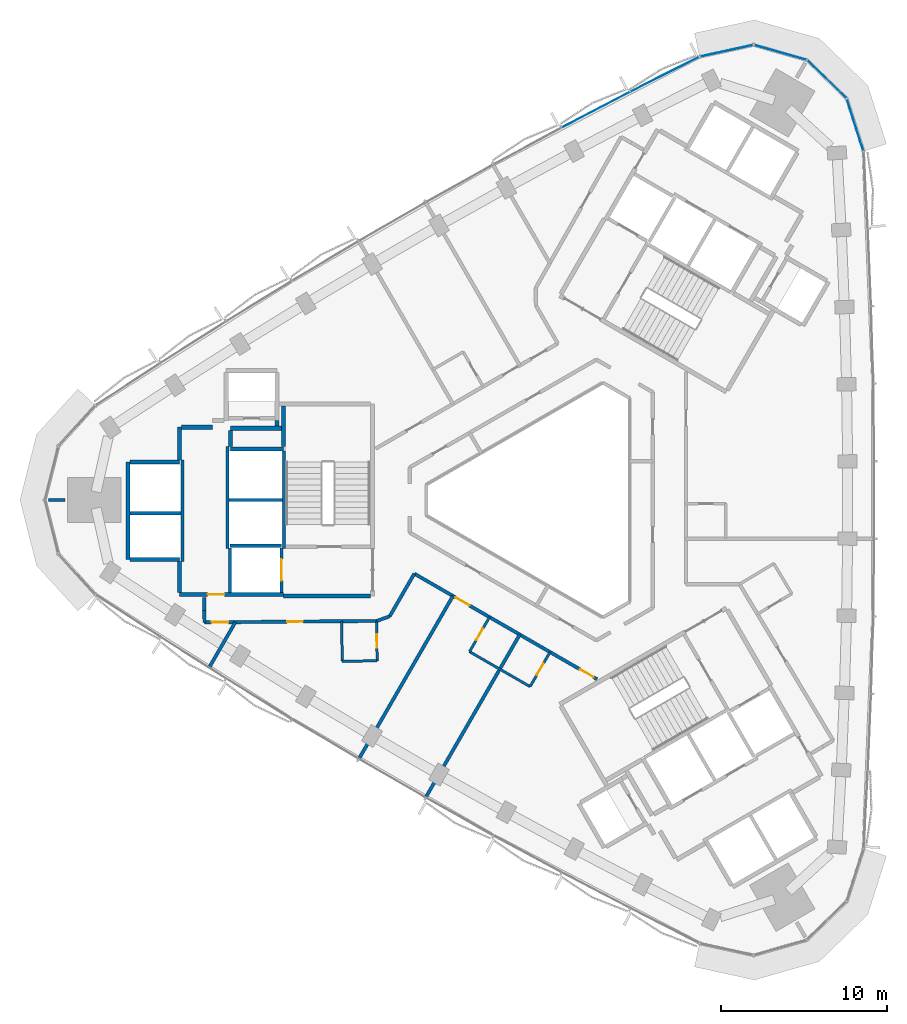
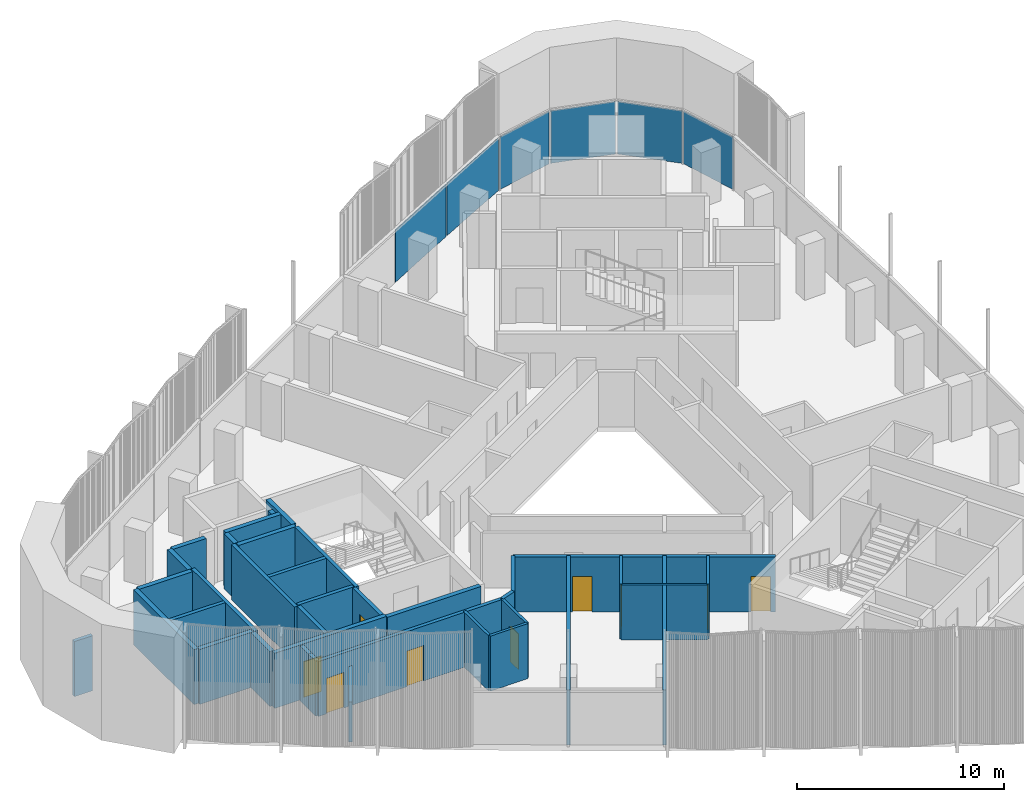
# One storey, part 7 of 14: 37 walls, 9 doors, 6 plates, 9 openings, 2 elements without a shape of their own.
"""IFC4 building model written with IfcOpenShell, lengths in metres."""

from ifc_helpers import new_model, si_unit, direction, frame, frame_2d, origin, origin_2d, place, context, subcontext, project, spatial, rectangle, extrude, material, layer, layer_set, type_object, element, fill, aggregate, save


model = new_model("IFC4")

# Units and contexts
model_context = context("Model", 3, precision=1e-05, world=origin(), true_north=direction((0.0, 1.0)))
body_context = subcontext(model_context, "Body", "Model", "MODEL_VIEW")
ifc_project = project(units=[si_unit("LENGTHUNIT", "METRE"), si_unit("AREAUNIT", "SQUARE_METRE"), si_unit("VOLUMEUNIT", "CUBIC_METRE"), si_unit("PLANEANGLEUNIT", "RADIAN"), si_unit("MASSUNIT", "GRAM", prefix="KILO")], contexts=[model_context])

# Site, building, storey
site_placement = place(None, origin())
site = spatial("IfcSite", under=ifc_project, at=site_placement, CompositionType="ELEMENT")
building_placement = place(site_placement, origin())
building = spatial("IfcBuilding", under=site, at=building_placement, Name="Tamra Quay Hotel Tower", CompositionType="ELEMENT")
storey_placement = place(building_placement, frame((0.0, 0.0, 175.60009765625)))
storey = spatial("IfcBuildingStorey", under=building, at=storey_placement, Name="L43", CompositionType="ELEMENT", Elevation=175.60009765625)

# Curtain wall, plates
ifc_material_1 = material(Name="Aluminium 6063 anodised dark grey", Category="aluminium")
curtain_wall_type_1 = type_object("IfcCurtainWallType", Name="CW1 CURTAIN WALL", PredefinedType="NOTDEFINED", material=ifc_material_1)
curtain_wall_1_placement = place(storey_placement, origin())
curtain_wall_1 = element("IfcCurtainWall", 1, at=curtain_wall_1_placement, inside=storey, type_object=curtain_wall_type_1, Name="CW1 east face L43", PredefinedType="NOTDEFINED")
ifc_material_2 = material(Name="Glass clear laminated low-iron", Category="glass")
ifc_layer_1 = layer(ifc_material_2, 0.030029296875)
ifc_layer_set_1 = layer_set([ifc_layer_1], Name="GLASS PANEL CW1 Z4")
plate_type_1 = type_object("IfcPlateType", Name="GLASS PANEL CW1 Z4", PredefinedType="CURTAIN_PANEL", material=ifc_layer_set_1)
plate_1_placement = place(storey_placement, frame((18.16064453125, 22.54052734375, 0.0), z_axis=(0.0, 0.0, 1.0), x_axis=(-0.303410479682, 0.952859948166, 0.0)))
plate_1 = element("IfcPlate", 2, at=plate_1_placement, type_object=plate_type_1, Name="CW1 glass L43.E.10", PredefinedType="CURTAIN_PANEL", context=body_context, shape_type="SweptSolid", body=[
    extrude(rectangle(XDim=3.227783203125, YDim=0.030029296875, at=origin_2d()), origin(), (0.0, 0.0, 1.0), 3.110107421875),
])
plate_2_placement = place(storey_placement, frame((16.461181640625, 25.2841796875, 0.0), z_axis=(0.0, 0.0, 1.0), x_axis=(-0.717974699393, 0.696069199888, 0.0)))
plate_2 = element("IfcPlate", 3, at=plate_2_placement, type_object=plate_type_1, Name="CW1 glass L43.E.11", PredefinedType="CURTAIN_PANEL", context=body_context, shape_type="SweptSolid", body=[
    extrude(rectangle(XDim=3.227783203125, YDim=0.030029296875, at=origin_2d()), origin(), (0.0, 0.0, 1.0), 3.110107421875),
])
plate_3_placement = place(storey_placement, frame((13.666259765625, 26.897705078125, 0.0), z_axis=(0.0, 0.0, 1.0), x_axis=(-0.961800959591, 0.273749729005, 0.0)))
plate_3 = element("IfcPlate", 4, at=plate_3_placement, type_object=plate_type_1, Name="CW1 glass L43.E.12", PredefinedType="CURTAIN_PANEL", context=body_context, shape_type="SweptSolid", body=[
    extrude(rectangle(XDim=3.227783203125, YDim=0.030029296875, at=origin_2d()), origin(), (0.0, 0.0, 1.0), 3.110107421875),
])
plate_4_placement = place(storey_placement, frame((10.4404296875, 26.997802734375, 0.0), z_axis=(0.0, 0.0, 1.0), x_axis=(-0.976906161202, -0.213668790904, 0.0)))
plate_4 = element("IfcPlate", 5, at=plate_4_placement, type_object=plate_type_1, Name="CW1 glass L43.E.13", PredefinedType="CURTAIN_PANEL", context=body_context, shape_type="SweptSolid", body=[
    extrude(rectangle(XDim=3.227783203125, YDim=0.030029296875, at=origin_2d()), origin(), (0.0, 0.0, 1.0), 3.110107421875),
])
aggregate(curtain_wall_1, [plate_1, plate_2, plate_3, plate_4])

curtain_wall_type_2 = type_object("IfcCurtainWallType", Name="CW2 CURTAIN WALL", PredefinedType="NOTDEFINED", material=ifc_material_1)
curtain_wall_2_placement = place(storey_placement, origin())
curtain_wall_2 = element("IfcCurtainWall", 6, at=curtain_wall_2_placement, inside=storey, type_object=curtain_wall_type_2, Name="CW2 north-west face L43", PredefinedType="NOTDEFINED")
ifc_layer_2 = layer(ifc_material_2, 0.030029296875)
ifc_layer_set_2 = layer_set([ifc_layer_2], Name="GLASS PANEL CW2 Z4")
plate_type_2 = type_object("IfcPlateType", Name="GLASS PANEL CW2 Z4", PredefinedType="CURTAIN_PANEL", material=ifc_layer_set_2)
plate_5_placement = place(storey_placement, frame((6.73583984375, 25.591064453125, 0.0), z_axis=(0.0, 0.0, 1.0), x_axis=(-0.892403070369, -0.451239138369, 0.0)))
plate_5 = element("IfcPlate", 7, at=plate_5_placement, type_object=plate_type_2, Name="CW2 glass L43.NW.1", PredefinedType="CURTAIN_PANEL", context=body_context, shape_type="SweptSolid", body=[
    extrude(rectangle(XDim=4.5595703125, YDim=0.030029296875, at=origin_2d()), origin(), (0.0, 0.0, 1.0), 3.110107421875),
])
plate_6_placement = place(storey_placement, frame((2.59228515625, 23.459716796875, 0.0), z_axis=(0.0, 0.0, 1.0), x_axis=(-0.886075646342, -0.463540665918, 0.0)))
plate_6 = element("IfcPlate", 8, at=plate_6_placement, type_object=plate_type_2, Name="CW2 glass L43.NW.2", PredefinedType="CURTAIN_PANEL", context=body_context, shape_type="SweptSolid", body=[
    extrude(rectangle(XDim=4.56005859375, YDim=0.030029296875, at=origin_2d()), origin(), (0.0, 0.0, 1.0), 3.110107421875),
])
aggregate(curtain_wall_2, [plate_5, plate_6])

# Walls
ifc_material_3 = material(Name="Concrete M70", Category="concrete")
ifc_layer_3 = layer(ifc_material_3, 0.199951171875)
ifc_layer_set_3 = layer_set([ifc_layer_3], Name="Concrete M70 core wall 200")
wall_type_1 = type_object("IfcWallType", Name="Concrete M70 core wall 200", PredefinedType="SHEAR", material=ifc_layer_set_3)
wall_1_placement = place(storey_placement, frame((-16.162109375, 2.95068359375, 0.0), z_axis=(0.0, 0.0, 1.0), x_axis=(0.0, -1.0, 0.0)))
element("IfcWall", 9, at=wall_1_placement, inside=storey, type_object=wall_type_1, Name="CW2", PredefinedType="SHEAR", context=body_context, shape_type="SweptSolid", body=[
    extrude(rectangle(XDim=5.850830078125, YDim=0.199951171875, at=frame_2d((2.92529296875, 0.0))), origin(), (0.0, 0.0, 1.0), 3.25),
])
for number, where, z_axis, x_axis, name in (
    (10, (-19.5625, -2.900146484375, 0.0), (0.0, 0.0, 1.0), (0.0, 1.0, 0.0), "CW2"),
    (11, (-22.26220703125, 2.400146484375, 0.0), (0.0, 0.0, 1.0), (0.0, -1.0, 0.0), "CW2"),
):
    element("IfcWall", number, at=place(storey_placement, frame(where, z_axis=z_axis, x_axis=x_axis)), inside=storey, type_object=wall_type_1, Name=name, PredefinedType="SHEAR", context=body_context, shape_type="SweptSolid", body=[
        extrude(rectangle(XDim=6.100341796875, YDim=0.199951171875, at=frame_2d((3.05029296875, 0.0))), origin(), (0.0, 0.0, 1.0), 3.25),
    ])
wall_2_placement = place(storey_placement, frame((-16.26318359375, 0.0, 0.0), z_axis=(0.0, 0.0, 1.0), x_axis=(-1.0, 0.0, 0.0)))
element("IfcWall", 12, at=wall_2_placement, inside=storey, type_object=wall_type_1, Name="CW2", PredefinedType="SHEAR", context=body_context, shape_type="SweptSolid", body=[
    extrude(rectangle(XDim=3.1982421875, YDim=0.199951171875, at=frame_2d((1.59912109375, 0.0))), origin(), (0.0, 0.0, 1.0), 3.25),
])
wall_3_placement = place(storey_placement, frame((-22.36328125, -0.800048828125, 0.0), z_axis=(0.0, 0.0, 1.0), x_axis=(-1.0, 0.0, 0.0)))
element("IfcWall", 13, at=wall_3_placement, inside=storey, type_object=wall_type_1, Name="CW2", PredefinedType="SHEAR", context=body_context, shape_type="SweptSolid", body=[
    extrude(rectangle(XDim=3.048095703125, YDim=0.199951171875, at=frame_2d((1.52392578125, 0.0))), origin(), (0.0, 0.0, 1.0), 3.25),
])
wall_4_placement = place(storey_placement, frame((-19.412353515625, -2.75, 0.0), z_axis=(0.0, 0.0, 1.0), x_axis=(1.0, 0.0, 0.0)))
element("IfcWall", 14, at=wall_4_placement, inside=storey, type_object=wall_type_1, Name="CW2", PredefinedType="SHEAR", context=body_context, shape_type="SweptSolid", body=[
    extrude(rectangle(XDim=3.10009765625, YDim=0.199951171875, at=frame_2d((1.550048828125, 0.0))), origin(), (0.0, 0.0, 1.0), 3.25),
])

# Wall, opening, door
wall_5_placement = place(storey_placement, frame((-16.312255859375, -2.898193359375, 0.0), z_axis=(0.0, 0.0, 1.0), x_axis=(0.0, -1.0, 0.0)))
wall_5 = element("IfcWall", 15, at=wall_5_placement, inside=storey, type_object=wall_type_1, Name="CW2", PredefinedType="SHEAR", context=body_context, shape_type="SweptSolid", body=[
    extrude(rectangle(XDim=2.65087890625, YDim=0.199951171875, at=frame_2d((1.325439453125, 0.0))), origin(), (0.0, 0.0, 1.0), 3.25),
])
opening_1_placement = place(wall_5_placement, frame((0.65185546875, 0.0, 0.0)))
opening_1 = element("IfcOpeningElement", 16, at=opening_1_placement, cuts=wall_5, Name="Opening LD", PredefinedType="OPENING", context=body_context, shape_type="SweptSolid", body=[
    extrude(rectangle(XDim=1.300048828125, YDim=2.10009765625, at=frame_2d((0.64990234375, 1.050048828125))), frame((0.0, 0.10986328125, 0.0), z_axis=(0.0, -1.0, 0.0), x_axis=(1.0, 0.0, 0.0)), (0.0, 0.0, 1.0), 0.219970703125),
])
ifc_material_4 = material(Name="Landing door LD 1300 sliding to right")
door_type_1 = type_object("IfcDoorType", Name="Landing door LD 1300 sliding to right", OperationType="NOTDEFINED", PredefinedType="DOOR", material=ifc_material_4)
door_1_placement = place(opening_1_placement, origin())
door_1 = element("IfcDoor", 17, at=door_1_placement, inside=storey, type_object=door_type_1, Name="LD", OperationType="SLIDING_TO_RIGHT", OverallHeight=2.10009765625, OverallWidth=1.300048828125, PredefinedType="DOOR", context=body_context, shape_type="SweptSolid", body=[
    extrude(rectangle(XDim=1.300048828125, YDim=2.10009765625, at=frame_2d((0.64990234375, 1.050048828125))), frame((0.0, 0.02490234375, 0.0), z_axis=(0.0, -1.0, 0.0), x_axis=(1.0, 0.0, 0.0)), (0.0, 0.0, 1.0), 0.050048828125),
])
fill(opening_1, door_1)

# Wall
wall_6_placement = place(storey_placement, frame((-19.412353515625, -5.549072265625, 0.0), z_axis=(0.0, 0.0, 1.0), x_axis=(0.0, 1.0, 0.0)))
element("IfcWall", 18, at=wall_6_placement, inside=storey, type_object=wall_type_1, Name="CW2", PredefinedType="SHEAR", context=body_context, shape_type="SweptSolid", body=[
    extrude(rectangle(XDim=2.65087890625, YDim=0.199951171875, at=frame_2d((1.325439453125, 0.0))), origin(), (0.0, 0.0, 1.0), 3.25),
])

# Wall, opening, door
ifc_layer_4 = layer(ifc_material_3, 0.25)
ifc_layer_set_4 = layer_set([ifc_layer_4], Name="Concrete M70 core wall 250")
wall_type_2 = type_object("IfcWallType", Name="Concrete M70 core wall 250", PredefinedType="SHEAR", material=ifc_layer_set_4)
wall_7_placement = place(storey_placement, frame((-16.187255859375, -5.675048828125, 0.0), z_axis=(0.0, 0.0, 1.0), x_axis=(-1.0, 0.0, 0.0)))
wall_7 = element("IfcWall", 19, at=wall_7_placement, inside=storey, type_object=wall_type_2, Name="CW1", PredefinedType="SHEAR", context=body_context, shape_type="SweptSolid", body=[
    extrude(rectangle(XDim=6.25, YDim=0.25, at=frame_2d((3.125, 0.0))), origin(), (0.0, 0.0, 1.0), 3.25),
])
opening_2_placement = place(wall_7_placement, frame((3.562744140625, 0.0, 0.0)))
opening_2 = element("IfcOpeningElement", 20, at=opening_2_placement, cuts=wall_7, Name="Opening FD3", PredefinedType="OPENING", context=body_context, shape_type="SweptSolid", body=[
    extrude(rectangle(XDim=1.0, YDim=2.10009765625, at=frame_2d((0.5, 1.050048828125))), frame((0.0, 0.135009765625, 0.0), z_axis=(0.0, -1.0, 0.0), x_axis=(1.0, 0.0, 0.0)), (0.0, 0.0, 1.0), 0.27001953125),
])
ifc_material_5 = material(Name="Core door FD3 1000x2100 LH")
door_type_2 = type_object("IfcDoorType", Name="Core door FD3 1000x2100 LH", OperationType="NOTDEFINED", PredefinedType="DOOR", material=ifc_material_5)
door_2_placement = place(opening_2_placement, origin())
door_2 = element("IfcDoor", 21, at=door_2_placement, inside=storey, type_object=door_type_2, Name="FD3", OperationType="SINGLE_SWING_LEFT", OverallHeight=2.10009765625, OverallWidth=1.0, PredefinedType="DOOR", context=body_context, shape_type="SweptSolid", body=[
    extrude(rectangle(XDim=1.0, YDim=2.10009765625, at=frame_2d((0.5, 1.050048828125))), frame((0.0, 0.02490234375, 0.0), z_axis=(0.0, -1.0, 0.0), x_axis=(1.0, 0.0, 0.0)), (0.0, 0.0, 1.0), 0.050048828125),
])
fill(opening_2, door_2)

# Walls
wall_8_placement = place(storey_placement, frame((-25.537353515625, -3.574951171875, 0.0), z_axis=(0.0, 0.0, 1.0), x_axis=(0.0, 1.0, 0.0)))
element("IfcWall", 22, at=wall_8_placement, inside=storey, type_object=wall_type_2, Name="CW1", PredefinedType="SHEAR", context=body_context, shape_type="SweptSolid", body=[
    extrude(rectangle(XDim=5.849853515625, YDim=0.25, at=frame_2d((2.9248046875, 0.0))), origin(), (0.0, 0.0, 1.0), 3.25),
])
wall_9_placement = place(storey_placement, frame((-10.962646484375, -5.77490234375, 0.0), z_axis=(0.0, 0.0, 1.0), x_axis=(-1.0, 0.0, 0.0)))
element("IfcWall", 23, at=wall_9_placement, inside=storey, type_object=wall_type_2, Name="CW1", PredefinedType="SHEAR", context=body_context, shape_type="SweptSolid", body=[
    extrude(rectangle(XDim=5.224609375, YDim=0.25, at=frame_2d((2.6123046875, 0.0))), origin(), (0.0, 0.0, 1.0), 3.25),
])
wall_10_placement = place(storey_placement, frame((-19.38720703125, 3.074951171875, 0.0), z_axis=(0.0, 0.0, 1.0), x_axis=(1.0, 0.0, 0.0)))
element("IfcWall", 24, at=wall_10_placement, inside=storey, type_object=wall_type_2, Name="CW1", PredefinedType="SHEAR", context=body_context, shape_type="SweptSolid", body=[
    extrude(rectangle(XDim=3.199951171875, YDim=0.25, at=frame_2d((1.60009765625, 0.0))), origin(), (0.0, 0.0, 1.0), 3.25),
])
for number, where, z_axis, x_axis, name in (
    (25, (-22.437255859375, -3.574951171875, 0.0), (0.0, 0.0, 1.0), (-1.0, 0.0, 0.0), "CW1"),
    (26, (-25.411865234375, 2.27490234375, 0.0), (0.0, 0.0, 1.0), (1.0, 0.0, 0.0), "CW1"),
):
    element("IfcWall", number, at=place(storey_placement, frame(where, z_axis=z_axis, x_axis=x_axis)), inside=storey, type_object=wall_type_2, Name=name, PredefinedType="SHEAR", context=body_context, shape_type="SweptSolid", body=[
        extrude(rectangle(XDim=2.974609375, YDim=0.25, at=frame_2d((1.4873046875, 0.0))), origin(), (0.0, 0.0, 1.0), 3.25),
    ])
wall_11_placement = place(storey_placement, frame((-16.30224609375, 4.31494140625, 0.0), z_axis=(0.0, 0.0, 1.0), x_axis=(-1.0, 0.0, 0.0)))
element("IfcWall", 27, at=wall_11_placement, inside=storey, type_object=wall_type_2, Name="CW1", PredefinedType="SHEAR", context=body_context, shape_type="SweptSolid", body=[
    extrude(rectangle(XDim=3.0849609375, YDim=0.25, at=frame_2d((1.54248046875, 0.0))), origin(), (0.0, 0.0, 1.0), 3.25),
])
wall_12_placement = place(storey_placement, frame((-16.187255859375, 3.200439453125, 0.0), z_axis=(0.0, 0.0, 1.0), x_axis=(0.0, 1.0, 0.0)))
element("IfcWall", 28, at=wall_12_placement, inside=storey, type_object=wall_type_2, Name="CW1", PredefinedType="SHEAR", context=body_context, shape_type="SweptSolid", body=[
    extrude(rectangle(XDim=2.44921875, YDim=0.25, at=frame_2d((1.224609375, 0.0))), origin(), (0.0, 0.0, 1.0), 3.25),
])
wall_13_placement = place(storey_placement, frame((-22.437255859375, 2.400390625, 0.0), z_axis=(0.0, 0.0, 1.0), x_axis=(0.0, 1.0, 0.0)))
element("IfcWall", 29, at=wall_13_placement, inside=storey, type_object=wall_type_2, Name="CW1", PredefinedType="SHEAR", context=body_context, shape_type="SweptSolid", body=[
    extrude(rectangle(XDim=1.974609375, YDim=0.25, at=frame_2d((0.9873046875, 0.0))), origin(), (0.0, 0.0, 1.0), 3.25),
])
wall_14_placement = place(storey_placement, frame((-22.437255859375, -5.549560546875, 0.0), z_axis=(0.0, 0.0, 1.0), x_axis=(0.0, 1.0, 0.0)))
element("IfcWall", 30, at=wall_14_placement, inside=storey, type_object=wall_type_2, Name="CW1", PredefinedType="SHEAR", context=body_context, shape_type="SweptSolid", body=[
    extrude(rectangle(XDim=1.84912109375, YDim=0.25, at=frame_2d((0.924560546875, 0.0))), origin(), (0.0, 0.0, 1.0), 3.25),
])
wall_15_placement = place(storey_placement, frame((-22.311767578125, 4.375, 0.0), z_axis=(0.0, 0.0, 1.0), x_axis=(1.0, 0.0, 0.0)))
element("IfcWall", 31, at=wall_15_placement, inside=storey, type_object=wall_type_2, Name="CW1", PredefinedType="SHEAR", context=body_context, shape_type="SweptSolid", body=[
    extrude(rectangle(XDim=1.864501953125, YDim=0.25, at=frame_2d((0.93212890625, 0.0))), origin(), (0.0, 0.0, 1.0), 3.25),
])
wall_16_placement = place(storey_placement, frame((-19.38720703125, 4.189697265625, 0.0), z_axis=(0.0, 0.0, 1.0), x_axis=(0.0, -1.0, 0.0)))
element("IfcWall", 32, at=wall_16_placement, inside=storey, type_object=wall_type_2, Name="CW1", PredefinedType="SHEAR", context=body_context, shape_type="SweptSolid", body=[
    extrude(rectangle(XDim=0.9892578125, YDim=0.25, at=frame_2d((0.49462890625, 0.0))), origin(), (0.0, 0.0, 1.0), 3.25),
])
wall_17_placement = place(storey_placement, frame((-16.577392578125, 4.784912109375, 0.0), z_axis=(0.0, 0.0, 1.0), x_axis=(0.0, -1.0, 0.0)))
element("IfcWall", 33, at=wall_17_placement, inside=storey, type_object=wall_type_2, Name="CW1", PredefinedType="SHEAR", context=body_context, shape_type="SweptSolid", body=[
    extrude(rectangle(XDim=0.344482421875, YDim=0.25, at=frame_2d((0.17236328125, 0.0))), origin(), (0.0, 0.0, 1.0), 3.25),
])
ifc_material_6 = material(Name="Partition corridor wall")
ifc_layer_5 = layer(ifc_material_6, 0.199951171875)
ifc_layer_set_5 = layer_set([ifc_layer_5], Name="Partition corridor wall")
wall_type_3 = type_object("IfcWallType", Name="Partition corridor wall", PredefinedType="PARTITIONING", material=ifc_layer_set_5)
wall_18_placement = place(storey_placement, frame((-20.949951171875, -6.64990234375, 0.0), z_axis=(0.0, 0.0, 1.0), x_axis=(0.0, 1.0, 0.0)))
element("IfcWall", 34, at=wall_18_placement, inside=storey, type_object=wall_type_3, Name="W-C", PredefinedType="PARTITIONING", context=body_context, shape_type="SweptSolid", body=[
    extrude(rectangle(XDim=0.789794921875, YDim=0.199951171875, at=frame_2d((0.39501953125, 0.0))), origin(), (0.0, 0.0, 1.0), 3.25),
])
wall_19_placement = place(storey_placement, frame((-20.947021484375, -6.653076171875, 0.0), z_axis=(0.0, 0.0, 1.0), x_axis=(0.004173876686, -0.999991289339, 0.0)))
element("IfcWall", 35, at=wall_19_placement, inside=storey, type_object=wall_type_3, Name="W-C", PredefinedType="PARTITIONING", context=body_context, shape_type="SweptSolid", body=[
    extrude(rectangle(XDim=0.701904296875, YDim=0.199951171875, at=frame_2d((0.35107421875, 0.0))), origin(), (0.0, 0.0, 1.0), 3.25),
])

# Wall, openings, doors
wall_20_placement = place(storey_placement, frame((-20.944091796875, -7.35595703125, 0.0), z_axis=(0.0, 0.0, 1.0), x_axis=(0.999963588164, 0.008533600955, 0.0)))
wall_20 = element("IfcWall", 36, at=wall_20_placement, inside=storey, type_object=wall_type_3, Name="W-C", PredefinedType="PARTITIONING", context=body_context, shape_type="SweptSolid", body=[
    extrude(rectangle(XDim=10.356689453125, YDim=0.199951171875, at=frame_2d((5.17822265625, 0.0))), origin(), (0.0, 0.0, 1.0), 3.25),
])
opening_3_placement = place(wall_20_placement, frame((0.4365234375, 0.0, 0.0)))
opening_3 = element("IfcOpeningElement", 37, at=opening_3_placement, cuts=wall_20, Name="Opening L43-D010", PredefinedType="OPENING", context=body_context, shape_type="SweptSolid", body=[
    extrude(rectangle(XDim=1.0, YDim=2.10009765625, at=frame_2d((0.5, 1.050048828125))), frame((0.0, 0.10986328125, 0.0), z_axis=(0.0, -1.0, 0.0), x_axis=(1.0, 0.0, 0.0)), (0.0, 0.0, 1.0), 0.219970703125),
])
opening_4_placement = place(wall_20_placement, frame((4.96826171875, 0.0, 0.0)))
opening_4 = element("IfcOpeningElement", 38, at=opening_4_placement, cuts=wall_20, Name="Opening L43-D011", PredefinedType="OPENING", context=body_context, shape_type="SweptSolid", body=[
    extrude(rectangle(XDim=0.949951171875, YDim=2.10009765625, at=frame_2d((0.47509765625, 1.050048828125))), frame((0.0, 0.10986328125, 0.0), z_axis=(0.0, -1.0, 0.0), x_axis=(1.0, 0.0, 0.0)), (0.0, 0.0, 1.0), 0.219970703125),
])
ifc_material_7 = material(Name="Door guest room 1000x2100")
door_type_3 = type_object("IfcDoorType", Name="Door guest room 1000x2100", OperationType="NOTDEFINED", PredefinedType="DOOR", material=ifc_material_7)
door_3_placement = place(opening_3_placement, origin())
door_3 = element("IfcDoor", 39, at=door_3_placement, inside=storey, type_object=door_type_3, Name="L43-D010", OperationType="SINGLE_SWING_LEFT", OverallHeight=2.10009765625, OverallWidth=1.0, PredefinedType="DOOR", context=body_context, shape_type="SweptSolid", body=[
    extrude(rectangle(XDim=1.0, YDim=2.10009765625, at=frame_2d((0.5, 1.050048828125))), frame((0.0, 0.02490234375, 0.0), z_axis=(0.0, -1.0, 0.0), x_axis=(1.0, 0.0, 0.0)), (0.0, 0.0, 1.0), 0.050048828125),
])
fill(opening_3, door_3)
ifc_material_8 = material(Name="Door guest room 950x2100")
door_type_4 = type_object("IfcDoorType", Name="Door guest room 950x2100", OperationType="NOTDEFINED", PredefinedType="DOOR", material=ifc_material_8)
door_4_placement = place(opening_4_placement, frame((0.949951171875, 0.0, 0.0), z_axis=(0.0, 0.0, 1.0), x_axis=(-1.0, 0.0, 0.0)))
door_4 = element("IfcDoor", 40, at=door_4_placement, inside=storey, type_object=door_type_4, Name="L43-D011", OperationType="SINGLE_SWING_LEFT", OverallHeight=2.10009765625, OverallWidth=0.949951171875, PredefinedType="DOOR", context=body_context, shape_type="SweptSolid", body=[
    extrude(rectangle(XDim=0.949951171875, YDim=2.10009765625, at=frame_2d((0.47509765625, 1.050048828125))), frame((0.0, 0.02490234375, 0.0), z_axis=(0.0, -1.0, 0.0), x_axis=(1.0, 0.0, 0.0)), (0.0, 0.0, 1.0), 0.050048828125),
])
fill(opening_4, door_4)

# Walls
wall_21_placement = place(storey_placement, frame((-10.587890625, -7.26904296875, 0.0), z_axis=(0.0, 0.0, 1.0), x_axis=(0.941634876095, 0.336635945974, 0.0)))
element("IfcWall", 41, at=wall_21_placement, inside=storey, type_object=wall_type_3, Name="W-C", PredefinedType="PARTITIONING", context=body_context, shape_type="SweptSolid", body=[
    extrude(rectangle(XDim=0.825927734375, YDim=0.199951171875, at=frame_2d((0.4130859375, 0.0))), origin(), (0.0, 0.0, 1.0), 3.25),
])
wall_22_placement = place(storey_placement, frame((-9.80908203125, -6.989990234375, 0.0), z_axis=(0.0, 0.0, 1.0), x_axis=(0.499955822529, 0.866050908157, 0.0)))
element("IfcWall", 42, at=wall_22_placement, inside=storey, type_object=wall_type_3, Name="W-C", PredefinedType="PARTITIONING", context=body_context, shape_type="SweptSolid", body=[
    extrude(rectangle(XDim=2.958251953125, YDim=0.199951171875, at=frame_2d((1.47900390625, 0.0))), origin(), (0.0, 0.0, 1.0), 3.25),
])

# Wall, openings, doors
wall_23_placement = place(storey_placement, frame((-8.330078125, -4.427978515625, 0.0), z_axis=(0.0, 0.0, 1.0), x_axis=(0.865923263811, -0.500176869909, 0.0)))
wall_23 = element("IfcWall", 43, at=wall_23_placement, inside=storey, type_object=wall_type_3, Name="W-C", PredefinedType="PARTITIONING", context=body_context, shape_type="SweptSolid", body=[
    extrude(rectangle(XDim=12.68017578125, YDim=0.199951171875, at=frame_2d((6.340087890625, 0.0))), origin(), (0.0, 0.0, 1.0), 3.25),
])
opening_5_placement = place(wall_23_placement, frame((2.869873046875, 0.0, 0.0)))
opening_5 = element("IfcOpeningElement", 44, at=opening_5_placement, cuts=wall_23, Name="Opening L43-D013", PredefinedType="OPENING", context=body_context, shape_type="SweptSolid", body=[
    extrude(rectangle(XDim=0.949951171875, YDim=2.10009765625, at=frame_2d((0.47509765625, 1.050048828125))), frame((0.0, 0.10986328125, 0.0), z_axis=(0.0, -1.0, 0.0), x_axis=(1.0, 0.0, 0.0)), (0.0, 0.0, 1.0), 0.219970703125),
])
opening_6_placement = place(wall_23_placement, frame((11.50048828125, 0.0, 0.0)))
opening_6 = element("IfcOpeningElement", 45, at=opening_6_placement, cuts=wall_23, Name="Opening L43-D015", PredefinedType="OPENING", context=body_context, shape_type="SweptSolid", body=[
    extrude(rectangle(XDim=0.949951171875, YDim=2.10009765625, at=frame_2d((0.47509765625, 1.050048828125))), frame((0.0, 0.10986328125, 0.0), z_axis=(0.0, -1.0, 0.0), x_axis=(1.0, 0.0, 0.0)), (0.0, 0.0, 1.0), 0.219970703125),
])
door_5_placement = place(opening_5_placement, frame((0.949951171875, 0.0, 0.0), z_axis=(0.0, 0.0, 1.0), x_axis=(-1.0, 0.0, 0.0)))
door_5 = element("IfcDoor", 46, at=door_5_placement, inside=storey, type_object=door_type_4, Name="L43-D013", OperationType="SINGLE_SWING_LEFT", OverallHeight=2.10009765625, OverallWidth=0.949951171875, PredefinedType="DOOR", context=body_context, shape_type="SweptSolid", body=[
    extrude(rectangle(XDim=0.949951171875, YDim=2.10009765625, at=frame_2d((0.47509765625, 1.050048828125))), frame((0.0, 0.02490234375, 0.0), z_axis=(0.0, -1.0, 0.0), x_axis=(1.0, 0.0, 0.0)), (0.0, 0.0, 1.0), 0.050048828125),
])
fill(opening_5, door_5)
door_6_placement = place(opening_6_placement, frame((0.949951171875, 0.0, 0.0), z_axis=(0.0, 0.0, 1.0), x_axis=(-1.0, 0.0, 0.0)))
door_6 = element("IfcDoor", 47, at=door_6_placement, inside=storey, type_object=door_type_4, Name="L43-D015", OperationType="SINGLE_SWING_LEFT", OverallHeight=2.10009765625, OverallWidth=0.949951171875, PredefinedType="DOOR", context=body_context, shape_type="SweptSolid", body=[
    extrude(rectangle(XDim=0.949951171875, YDim=2.10009765625, at=frame_2d((0.47509765625, 1.050048828125))), frame((0.0, 0.02490234375, 0.0), z_axis=(0.0, -1.0, 0.0), x_axis=(1.0, 0.0, 0.0)), (0.0, 0.0, 1.0), 0.050048828125),
])
fill(opening_6, door_6)

# Walls
ifc_material_9 = material(Name="Partition en-suite wall")
ifc_layer_6 = layer(ifc_material_9, 0.14990234375)
ifc_layer_set_6 = layer_set([ifc_layer_6], Name="Partition en-suite wall")
wall_type_4 = type_object("IfcWallType", Name="Partition en-suite wall", PredefinedType="PARTITIONING", material=ifc_layer_set_6)
wall_24_placement = place(storey_placement, frame((-12.68798828125, -7.287109375, 0.0), z_axis=(0.0, 0.0, 1.0), x_axis=(0.00834491602, -0.999965180582, 0.0)))
element("IfcWall", 48, at=wall_24_placement, inside=storey, type_object=wall_type_4, Name="W-E", PredefinedType="PARTITIONING", context=body_context, shape_type="SweptSolid", body=[
    extrude(rectangle(XDim=2.39892578125, YDim=0.14990234375, at=frame_2d((1.199462890625, 0.0))), origin(), (0.0, 0.0, 1.0), 3.25),
])
wall_25_placement = place(storey_placement, frame((-12.66796875, -9.68603515625, 0.0), z_axis=(0.0, 0.0, 1.0), x_axis=(0.999966883333, 0.008138319013, 0.0)))
element("IfcWall", 49, at=wall_25_placement, inside=storey, type_object=wall_type_4, Name="W-E", PredefinedType="PARTITIONING", context=body_context, shape_type="SweptSolid", body=[
    extrude(rectangle(XDim=2.099853515625, YDim=0.14990234375, at=frame_2d((1.0498046875, 0.0))), origin(), (0.0, 0.0, 1.0), 3.25),
])

# Wall, opening, door
wall_26_placement = place(storey_placement, frame((-10.587890625, -7.26904296875, 0.0), z_axis=(0.0, 0.0, 1.0), x_axis=(0.008239801651, -0.999966052258, 0.0)))
wall_26 = element("IfcWall", 50, at=wall_26_placement, inside=storey, type_object=wall_type_4, Name="W-E", PredefinedType="PARTITIONING", context=body_context, shape_type="SweptSolid", body=[
    extrude(rectangle(XDim=2.39990234375, YDim=0.14990234375, at=frame_2d((1.199951171875, 0.0))), origin(), (0.0, 0.0, 1.0), 3.25),
])
opening_7_placement = place(wall_26_placement, frame((0.800048828125, 0.0, 0.0)))
opening_7 = element("IfcOpeningElement", 51, at=opening_7_placement, cuts=wall_26, Name="Opening L43-D012", PredefinedType="OPENING", context=body_context, shape_type="SweptSolid", body=[
    extrude(rectangle(XDim=0.800048828125, YDim=2.10009765625, at=frame_2d((0.39990234375, 1.050048828125))), frame((0.0, 0.0849609375, 0.0), z_axis=(0.0, -1.0, 0.0), x_axis=(1.0, 0.0, 0.0)), (0.0, 0.0, 1.0), 0.169921875),
])
ifc_material_10 = material(Name="Door en-suite 800x2100")
door_type_5 = type_object("IfcDoorType", Name="Door en-suite 800x2100", OperationType="NOTDEFINED", PredefinedType="DOOR", material=ifc_material_10)
door_7_placement = place(opening_7_placement, frame((0.800048828125, 0.0, 0.0), z_axis=(0.0, 0.0, 1.0), x_axis=(-1.0, 0.0, 0.0)))
door_7 = element("IfcDoor", 52, at=door_7_placement, inside=storey, type_object=door_type_5, Name="L43-D012", OperationType="SINGLE_SWING_LEFT", OverallHeight=2.10009765625, OverallWidth=0.800048828125, PredefinedType="DOOR", context=body_context, shape_type="SweptSolid", body=[
    extrude(rectangle(XDim=0.800048828125, YDim=2.10009765625, at=frame_2d((0.39990234375, 1.050048828125))), frame((0.0, 0.02490234375, 0.0), z_axis=(0.0, -1.0, 0.0), x_axis=(1.0, 0.0, 0.0)), (0.0, 0.0, 1.0), 0.050048828125),
])
fill(opening_7, door_7)

wall_27_placement = place(storey_placement, frame((-5.010986328125, -9.115966796875, 0.0), z_axis=(0.0, 0.0, 1.0), x_axis=(0.500089422704, 0.865973769406, 0.0)))
wall_27 = element("IfcWall", 53, at=wall_27_placement, inside=storey, type_object=wall_type_4, Name="W-E", PredefinedType="PARTITIONING", context=body_context, shape_type="SweptSolid", body=[
    extrude(rectangle(XDim=2.3994140625, YDim=0.14990234375, at=frame_2d((1.19970703125, 0.0))), origin(), (0.0, 0.0, 1.0), 3.25),
])
opening_8_placement = place(wall_27_placement, frame((0.7998046875, 0.0, 0.0)))
opening_8 = element("IfcOpeningElement", 54, at=opening_8_placement, cuts=wall_27, Name="Opening L43-D014", PredefinedType="OPENING", context=body_context, shape_type="SweptSolid", body=[
    extrude(rectangle(XDim=0.800048828125, YDim=2.10009765625, at=frame_2d((0.39990234375, 1.050048828125))), frame((0.0, 0.0849609375, 0.0), z_axis=(0.0, -1.0, 0.0), x_axis=(1.0, 0.0, 0.0)), (0.0, 0.0, 1.0), 0.169921875),
])
door_8_placement = place(opening_8_placement, origin())
door_8 = element("IfcDoor", 55, at=door_8_placement, inside=storey, type_object=door_type_5, Name="L43-D014", OperationType="SINGLE_SWING_LEFT", OverallHeight=2.10009765625, OverallWidth=0.800048828125, PredefinedType="DOOR", context=body_context, shape_type="SweptSolid", body=[
    extrude(rectangle(XDim=0.800048828125, YDim=2.10009765625, at=frame_2d((0.39990234375, 1.050048828125))), frame((0.0, 0.02490234375, 0.0), z_axis=(0.0, -1.0, 0.0), x_axis=(1.0, 0.0, 0.0)), (0.0, 0.0, 1.0), 0.050048828125),
])
fill(opening_8, door_8)

# Wall
wall_28_placement = place(storey_placement, frame((-5.010986328125, -9.115966796875, 0.0), z_axis=(0.0, 0.0, 1.0), x_axis=(0.866062607352, -0.499935555993, 0.0)))
element("IfcWall", 56, at=wall_28_placement, inside=storey, type_object=wall_type_4, Name="W-E", PredefinedType="PARTITIONING", context=body_context, shape_type="SweptSolid", body=[
    extrude(rectangle(XDim=4.1982421875, YDim=0.14990234375, at=frame_2d((2.09912109375, 0.0))), origin(), (0.0, 0.0, 1.0), 3.25),
])

# Wall, opening, door
wall_29_placement = place(storey_placement, frame((-1.37109375, -11.212890625, 0.0), z_axis=(0.0, 0.0, 1.0), x_axis=(0.499748946523, 0.866170301066, 0.0)))
wall_29 = element("IfcWall", 57, at=wall_29_placement, inside=storey, type_object=wall_type_4, Name="W-E", PredefinedType="PARTITIONING", context=body_context, shape_type="SweptSolid", body=[
    extrude(rectangle(XDim=2.393310546875, YDim=0.14990234375, at=frame_2d((1.19677734375, 0.0))), origin(), (0.0, 0.0, 1.0), 3.25),
])
opening_9_placement = place(wall_29_placement, frame((0.796142578125, 0.0, 0.0)))
opening_9 = element("IfcOpeningElement", 58, at=opening_9_placement, cuts=wall_29, Name="Opening L43-D016", PredefinedType="OPENING", context=body_context, shape_type="SweptSolid", body=[
    extrude(rectangle(XDim=0.800048828125, YDim=2.10009765625, at=frame_2d((0.39990234375, 1.050048828125))), frame((0.0, 0.0849609375, 0.0), z_axis=(0.0, -1.0, 0.0), x_axis=(1.0, 0.0, 0.0)), (0.0, 0.0, 1.0), 0.169921875),
])
door_9_placement = place(opening_9_placement, frame((0.800048828125, 0.0, 0.0), z_axis=(0.0, 0.0, 1.0), x_axis=(-1.0, 0.0, 0.0)))
door_9 = element("IfcDoor", 59, at=door_9_placement, inside=storey, type_object=door_type_5, Name="L43-D016", OperationType="SINGLE_SWING_LEFT", OverallHeight=2.10009765625, OverallWidth=0.800048828125, PredefinedType="DOOR", context=body_context, shape_type="SweptSolid", body=[
    extrude(rectangle(XDim=0.800048828125, YDim=2.10009765625, at=frame_2d((0.39990234375, 1.050048828125))), frame((0.0, 0.02490234375, 0.0), z_axis=(0.0, -1.0, 0.0), x_axis=(1.0, 0.0, 0.0)), (0.0, 0.0, 1.0), 0.050048828125),
])
fill(opening_9, door_9)

# Walls
ifc_material_11 = material(Name="Partition party wall")
ifc_layer_7 = layer(ifc_material_11, 0.199951171875)
ifc_layer_set_7 = layer_set([ifc_layer_7], Name="Partition party wall")
wall_type_5 = type_object("IfcWallType", Name="Partition party wall", PredefinedType="PARTITIONING", material=ifc_layer_set_7)
wall_30_placement = place(storey_placement, frame((-30.325927734375, 0.0, 0.0), z_axis=(0.0, 0.0, 1.0), x_axis=(1.0, 0.0, 0.0)))
element("IfcWall", 60, at=wall_30_placement, inside=storey, type_object=wall_type_5, Name="W-P", PredefinedType="PARTITIONING", context=body_context, shape_type="SweptSolid", body=[
    extrude(rectangle(XDim=1.015869140625, YDim=0.199951171875, at=frame_2d((0.5078125, 0.0))), origin(), (0.0, 0.0, 1.0), 3.25),
])
wall_31_placement = place(storey_placement, frame((-20.664794921875, -10.080322265625, 0.0), z_axis=(0.0, 0.0, 1.0), x_axis=(0.499931743679, 0.866064808003, 0.0)))
element("IfcWall", 61, at=wall_31_placement, inside=storey, type_object=wall_type_5, Name="W-P", PredefinedType="PARTITIONING", context=body_context, shape_type="SweptSolid", body=[
    extrude(rectangle(XDim=3.1640625, YDim=0.199951171875, at=frame_2d((1.58203125, 0.0))), origin(), (0.0, 0.0, 1.0), 2.349853515625),
])
wall_32_placement = place(storey_placement, frame((-11.661376953125, -15.560546875, 0.0), z_axis=(0.0, 0.0, 1.0), x_axis=(0.500012795616, 0.866018016106, 0.0)))
element("IfcWall", 62, at=wall_32_placement, inside=storey, type_object=wall_type_5, Name="W-P", PredefinedType="PARTITIONING", context=body_context, shape_type="SweptSolid", body=[
    extrude(rectangle(XDim=11.306396484375, YDim=0.199951171875, at=frame_2d((5.6533203125, 0.0))), origin(), (0.0, 0.0, 1.0), 3.25),
])
wall_33_placement = place(storey_placement, frame((-7.6455078125, -17.87890625, 0.0), z_axis=(0.0, 0.0, 1.0), x_axis=(0.500031496802, 0.866007218334, 0.0)))
element("IfcWall", 63, at=wall_33_placement, inside=storey, type_object=wall_type_5, Name="W-P", PredefinedType="PARTITIONING", context=body_context, shape_type="SweptSolid", body=[
    extrude(rectangle(XDim=11.305908203125, YDim=0.199951171875, at=frame_2d((5.65283203125, 0.0))), origin(), (0.0, 0.0, 1.0), 3.25),
])

save(model, "model.ifc")
